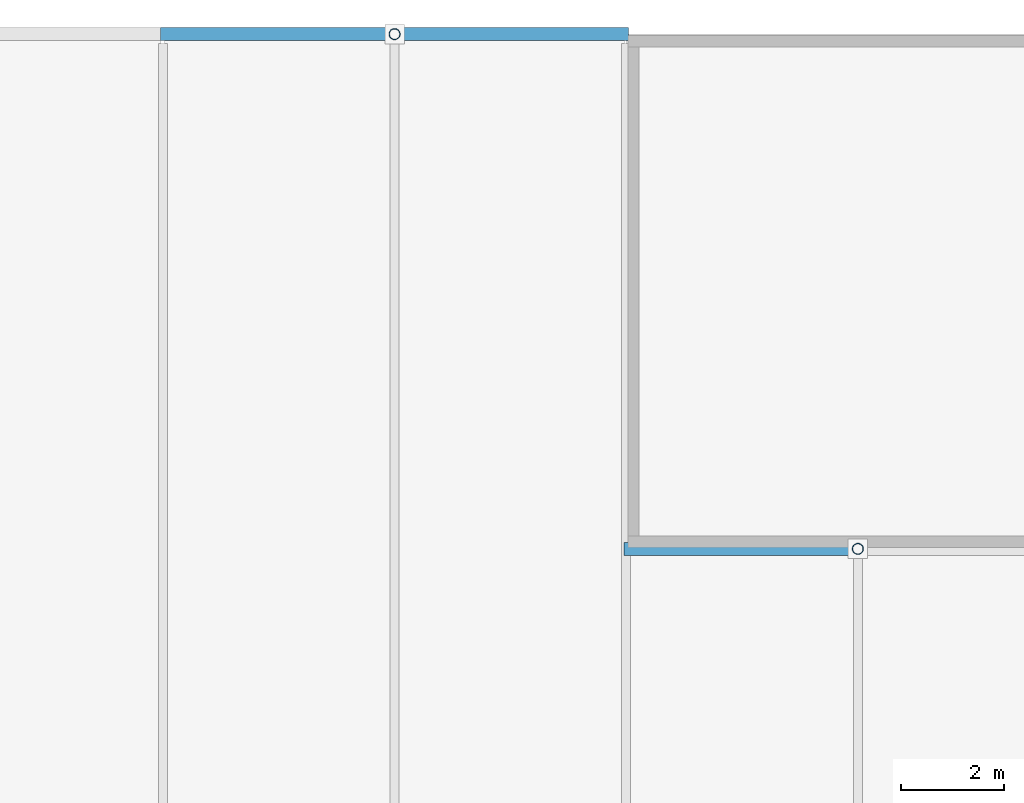
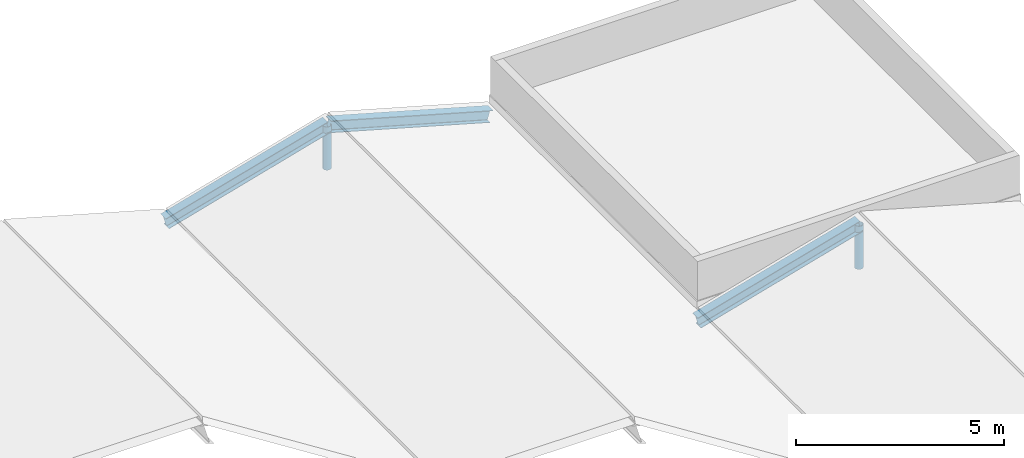
# One storey, part 19 of 40: 5 members.
"""IFC4 building model written with IfcOpenShell, lengths in metres."""

from ifc_helpers import new_model, si_unit, direction, frame, origin, origin_2d, place, context, subcontext, project, spatial, hollow_circle, i_section, extrude, material, material_profile, profile_set, type_object, element, save


model = new_model("IFC4")

# Units and contexts
model_context = context("Model", 3, precision=1e-05, world=origin(), true_north=direction((0.0, 1.0)))
body_context = subcontext(model_context, "Body", "Model", "MODEL_VIEW")
ifc_project = project(units=[si_unit("LENGTHUNIT", "METRE"), si_unit("AREAUNIT", "SQUARE_METRE"), si_unit("VOLUMEUNIT", "CUBIC_METRE"), si_unit("PLANEANGLEUNIT", "RADIAN"), si_unit("MASSUNIT", "GRAM", prefix="KILO")], contexts=[model_context])

# Site, building, storey
site_placement = place(None, origin())
site = spatial("IfcSite", under=ifc_project, at=site_placement, CompositionType="ELEMENT")
building_placement = place(site_placement, origin())
building = spatial("IfcBuilding", under=site, at=building_placement, Name="Suzunagisa Mobility Hub", CompositionType="ELEMENT")
storey_placement = place(building_placement, frame((0.0, 0.0, 21.89990234375)))
storey = spatial("IfcBuildingStorey", under=building, at=storey_placement, Name="L05", CompositionType="ELEMENT", Elevation=21.89990234375)

# Members
ifc_material = material(Name="Steel SN400B", Category="steel")
ifc_material_profile_1 = material_profile(ifc_material, i_section(OverallWidth=0.25, OverallDepth=0.340087890625, WebThickness=0.009033203125, FlangeThickness=0.013916015625, FilletRadius=0.010009765625, at=origin_2d()), Name="H-340x250x9x14")
ifc_profile_set_1 = profile_set([ifc_material_profile_1], Name="Steel SN400B")
member_type_1 = type_object("IfcMemberType", Name="Roof Truss and Brace Member MB-11 H-340x250x9x14", PredefinedType="RAFTER", material=ifc_profile_set_1)
for number, where, z_axis, x_axis, name in (
    (1, (18.0, 118.0, -0.3798828125), (0.962514716328, 0.0, 0.271229461622), (0.0, 1.0, 0.0), "L05 Ramp Canopy Rafter 239"),
    (2, (27.0, 118.0, -0.3798828125), (-0.962514716328, 0.0, 0.271229461622), (0.0, -1.0, 0.0), "L05 Ramp Canopy Rafter 240"),
    (3, (27.0, 108.0, -0.3798828125), (0.962514716328, 0.0, 0.271229461622), (0.0, 1.0, 0.0), "L05 Ramp Canopy Rafter 249"),
):
    element("IfcMember", number, at=place(storey_placement, frame(where, z_axis=z_axis, x_axis=x_axis)), inside=storey, type_object=member_type_1, Name=name, PredefinedType="RAFTER", context=body_context, shape_type="SweptSolid", body=[
        extrude(i_section(OverallWidth=0.25, OverallDepth=0.340087890625, WebThickness=0.009033203125, FlangeThickness=0.013916015625, FilletRadius=0.010009765625, at=origin_2d()), origin(), (0.0, 0.0, 1.0), 4.67529296875),
    ])
ifc_material_profile_2 = material_profile(ifc_material, hollow_circle(Radius=0.108154296875, WallThickness=0.00830078125, at=origin_2d()), Name="CHS-216.3x8.2")
ifc_profile_set_2 = profile_set([ifc_material_profile_2], Name="Steel SN400B")
member_type_2 = type_object("IfcMemberType", Name="Roof Truss and Brace Member MB-14 CHS-216.3x8.2", PredefinedType="POST", material=ifc_profile_set_2)
for number, where, z_axis, x_axis, name in (
    (4, (22.5, 118.0, -0.3798828125), (0.0, 0.0, 1.0), (1.0, 0.0, 0.0), "L05 Ramp Canopy Truss Post 238"),
    (5, (31.5, 108.0, -0.3798828125), (0.0, 0.0, 1.0), (1.0, 0.0, 0.0), "L05 Ramp Canopy Truss Post 248"),
):
    element("IfcMember", number, at=place(storey_placement, frame(where, z_axis=z_axis, x_axis=x_axis)), inside=storey, type_object=member_type_2, Name=name, PredefinedType="POST", context=body_context, shape_type="SweptSolid", body=[
        extrude(hollow_circle(Radius=0.108154296875, WallThickness=0.00830078125, at=origin_2d()), origin(), (0.0, 0.0, 1.0), 1.26806640625),
    ])

save(model, "model.ifc")
